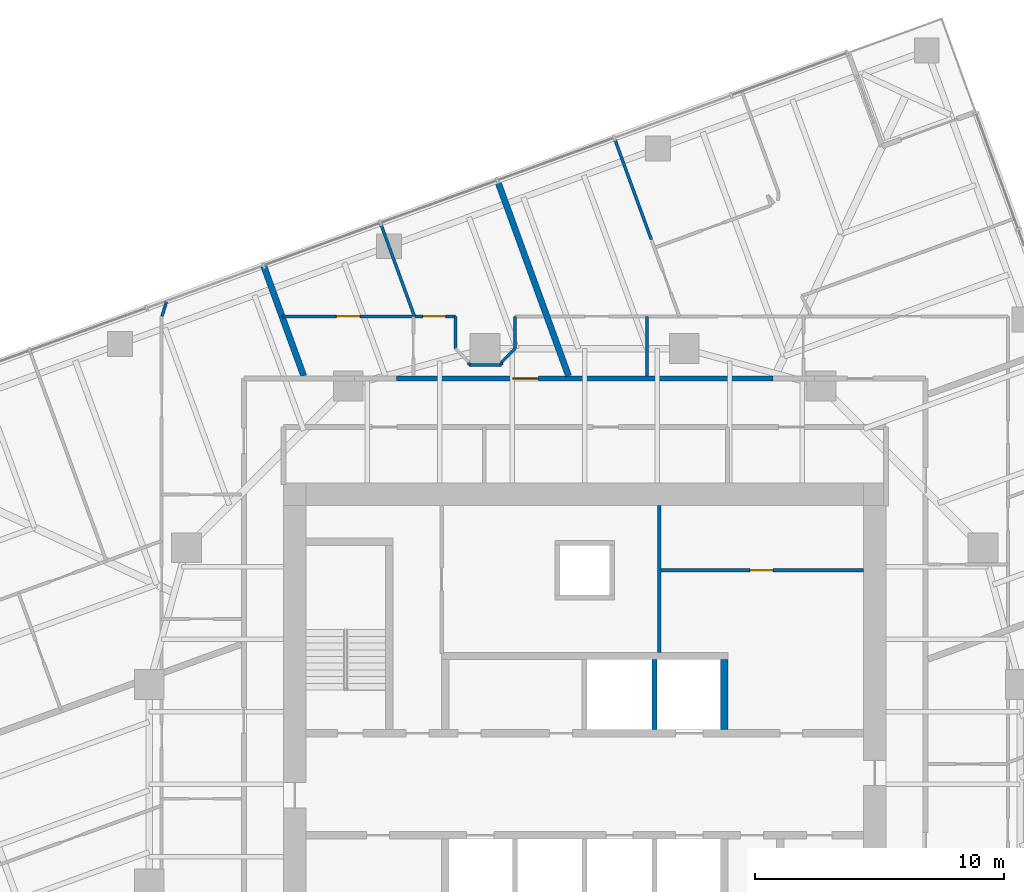
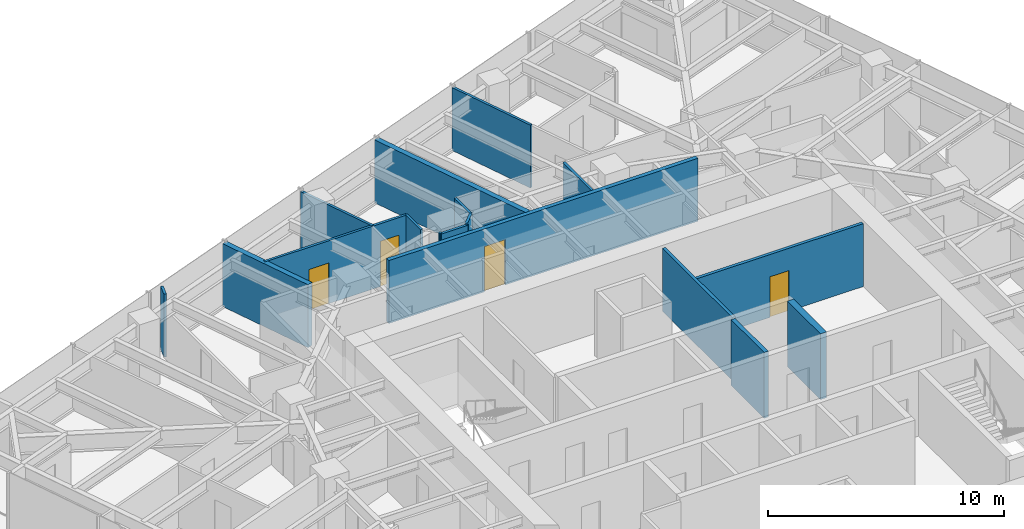
# One storey, part 11 of 13: 18 walls, 4 doors, 4 openings.
"""IFC4 building model written with IfcOpenShell, lengths in metres."""

from ifc_helpers import new_model, si_unit, direction, frame, frame_2d, origin, place, context, subcontext, project, spatial, rectangle, extrude, material, layer, layer_set, type_object, element, fill, save


model = new_model("IFC4")

# Units and contexts
model_context = context("Model", 3, precision=1e-05, world=origin(), true_north=direction((0.0, 1.0)))
body_context = subcontext(model_context, "Body", "Model", "MODEL_VIEW")
ifc_project = project(units=[si_unit("LENGTHUNIT", "METRE"), si_unit("AREAUNIT", "SQUARE_METRE"), si_unit("VOLUMEUNIT", "CUBIC_METRE"), si_unit("PLANEANGLEUNIT", "RADIAN"), si_unit("MASSUNIT", "GRAM", prefix="KILO")], contexts=[model_context])

# Site, building, storey
site_placement = place(None, origin())
site = spatial("IfcSite", under=ifc_project, at=site_placement, CompositionType="ELEMENT")
building_placement = place(site_placement, origin())
building = spatial("IfcBuilding", under=site, at=building_placement, Name="Torsade Residences", CompositionType="ELEMENT")
storey_placement = place(building_placement, frame((0.0, 0.0, 147.199951171875)))
storey = spatial("IfcBuildingStorey", under=building, at=storey_placement, Name="L40", CompositionType="ELEMENT", Elevation=147.199951171875)

# Wall
ifc_material_1 = material(Name="Concrete 80 MPa", Category="concrete")
ifc_layer_1 = layer(ifc_material_1, 0.300048828125)
ifc_layer_set_1 = layer_set([ifc_layer_1], Name="Concrete 80 MPa")
wall_type_1 = type_object("IfcWallType", Name="CORE INTERNAL WALL 300", PredefinedType="SHEAR", material=ifc_layer_set_1)
wall_1_placement = place(storey_placement, frame((45.60009765625, 32.199951171875, 0.0), z_axis=(0.0, 0.0, 1.0), x_axis=(0.0, 1.0, 0.0)))
element("IfcWall", 1, at=wall_1_placement, inside=storey, type_object=wall_type_1, Name="Core wall DN4 L40", PredefinedType="SHEAR", context=body_context, shape_type="SweptSolid", body=[
    extrude(rectangle(XDim=2.800048828125, YDim=0.300048828125, at=frame_2d((1.39990234375, 0.0))), origin(), (0.0, 0.0, 1.0), 3.400146484375),
])

# Wall, opening, door
ifc_material_2 = material(Name="Plasterboard on steel stud", Category="steel")
ifc_layer_2 = layer(ifc_material_2, 0.199951171875)
ifc_layer_set_2 = layer_set([ifc_layer_2], Name="Plasterboard on steel stud")
wall_type_2 = type_object("IfcWallType", Name="CORRIDOR WALL 200", PredefinedType="PARTITIONING", material=ifc_layer_set_2)
wall_2_placement = place(storey_placement, frame((47.558349609375, 46.300048828125, 0.0), z_axis=(0.0, 0.0, 1.0), x_axis=(-1.0, 0.0, 0.0)))
wall_2 = element("IfcWall", 2, at=wall_2_placement, inside=storey, type_object=wall_type_2, Name="Corridor wall L40", PredefinedType="PARTITIONING", context=body_context, shape_type="SweptSolid", body=[
    extrude(rectangle(XDim=15.11669921875, YDim=0.199951171875, at=frame_2d((7.558349609375, 0.0))), origin(), (0.0, 0.0, 1.0), 3.25),
])
opening_1_placement = place(wall_2_placement, frame((9.42236328125, 0.0, 0.0)))
opening_1 = element("IfcOpeningElement", 3, at=opening_1_placement, cuts=wall_2, Name="Opening D01", PredefinedType="OPENING", context=body_context, shape_type="SweptSolid", body=[
    extrude(rectangle(XDim=1.02001953125, YDim=2.340087890625, at=frame_2d((0.510009765625, 1.169921875))), frame((0.0, 0.10986328125, 0.0), z_axis=(0.0, -1.0, 0.0), x_axis=(1.0, 0.0, 0.0)), (0.0, 0.0, 1.0), 0.219970703125),
])
ifc_material_3 = material(Name="Solid-core timber fire door", Category="wood")
door_type_1 = type_object("IfcDoorType", Name="APARTMENT ENTRY DOOR 1020x2340", OperationType="NOTDEFINED", PredefinedType="DOOR", material=ifc_material_3)
door_1_placement = place(opening_1_placement, origin())
door_1 = element("IfcDoor", 4, at=door_1_placement, inside=storey, type_object=door_type_1, Name="Door Residential corridor to Kitchen and dining", OperationType="SINGLE_SWING_RIGHT", OverallHeight=2.340087890625, OverallWidth=1.02001953125, PredefinedType="DOOR", context=body_context, shape_type="SweptSolid", body=[
    extrude(rectangle(XDim=1.02001953125, YDim=2.340087890625, at=frame_2d((0.510009765625, 1.169921875))), frame((0.0, 0.02490234375, 0.0), z_axis=(0.0, -1.0, 0.0), x_axis=(1.0, 0.0, 0.0)), (0.0, 0.0, 1.0), 0.050048828125),
])
fill(opening_1, door_1)

# Walls
ifc_material_4 = material(Name="Reinforced blockwork", Category="masonry")
ifc_layer_3 = layer(ifc_material_4, 0.199951171875)
ifc_layer_set_3 = layer_set([ifc_layer_3], Name="Reinforced blockwork")
wall_type_3 = type_object("IfcWallType", Name="LIFT SHAFT DIVIDING WALL 200", PredefinedType="SOLIDWALL", material=ifc_layer_set_3)
wall_3_placement = place(storey_placement, frame((42.800048828125, 32.199951171875, 0.0), z_axis=(0.0, 0.0, 1.0), x_axis=(0.0, 1.0, 0.0)))
element("IfcWall", 5, at=wall_3_placement, inside=storey, type_object=wall_type_3, Name="Core wall DN3 L40", PredefinedType="SOLIDWALL", context=body_context, shape_type="SweptSolid", body=[
    extrude(rectangle(XDim=2.800048828125, YDim=0.199951171875, at=frame_2d((1.39990234375, 0.0))), origin(), (0.0, 0.0, 1.0), 3.400146484375),
])
ifc_material_5 = material(Name="Plasterboard on steel stud", Category="steel")
ifc_layer_4 = layer(ifc_material_5, 0.1201171875)
ifc_layer_set_4 = layer_set([ifc_layer_4], Name="Plasterboard on steel stud")
wall_type_4 = type_object("IfcWallType", Name="PARTITION 120", PredefinedType="PARTITIONING", material=ifc_layer_set_4)
wall_4_placement = place(storey_placement, frame((42.501220703125, 46.39990234375, 0.0), z_axis=(0.0, 0.0, 1.0), x_axis=(0.0, 1.0, 0.0)))
element("IfcWall", 6, at=wall_4_placement, inside=storey, type_object=wall_type_4, Name="Partition L40", PredefinedType="PARTITIONING", context=body_context, shape_type="SweptSolid", body=[
    extrude(rectangle(XDim=2.400146484375, YDim=0.1201171875, at=frame_2d((1.2001953125, 0.0))), origin(), (0.0, 0.0, 1.0), 3.25),
])
wall_5_placement = place(storey_placement, frame((41.2021484375, 55.935302734375, 0.0), z_axis=(0.0, 0.0, 1.0), x_axis=(0.341992887332, -0.939702540709, 0.0)))
element("IfcWall", 7, at=wall_5_placement, inside=storey, type_object=wall_type_4, Name="Partition L40", PredefinedType="PARTITIONING", context=body_context, shape_type="SweptSolid", body=[
    extrude(rectangle(XDim=4.3154296875, YDim=0.1201171875, at=frame_2d((2.15771484375, 0.0))), origin(), (0.0, 0.0, 1.0), 3.25),
])

# Wall, openings, doors
wall_6_placement = place(storey_placement, frame((27.83642578125, 48.800048828125, 0.0), z_axis=(0.0, 0.0, 1.0), x_axis=(1.0, 0.0, 0.0)))
wall_6 = element("IfcWall", 8, at=wall_6_placement, inside=storey, type_object=wall_type_4, Name="Partition L40", PredefinedType="PARTITIONING", context=body_context, shape_type="SweptSolid", body=[
    extrude(rectangle(XDim=6.963623046875, YDim=0.1201171875, at=frame_2d((3.48193359375, 0.0))), origin(), (0.0, 0.0, 1.0), 3.25),
])
opening_2_placement = place(wall_6_placement, frame((5.6591796875, 0.0, 0.0)))
opening_2 = element("IfcOpeningElement", 9, at=opening_2_placement, cuts=wall_6, Name="Opening D02", PredefinedType="OPENING", context=body_context, shape_type="SweptSolid", body=[
    extrude(rectangle(XDim=0.919921875, YDim=2.340087890625, at=frame_2d((0.4599609375, 1.169921875))), frame((0.0, 0.070068359375, 0.0), z_axis=(0.0, -1.0, 0.0), x_axis=(1.0, 0.0, 0.0)), (0.0, 0.0, 1.0), 0.14013671875),
])
opening_3_placement = place(wall_6_placement, frame((2.180419921875, 0.0, 0.0)))
opening_3 = element("IfcOpeningElement", 10, at=opening_3_placement, cuts=wall_6, Name="Opening D05", PredefinedType="OPENING", context=body_context, shape_type="SweptSolid", body=[
    extrude(rectangle(XDim=0.9599609375, YDim=2.10009765625, at=frame_2d((0.47998046875, 1.050048828125))), frame((0.0, 0.070068359375, 0.0), z_axis=(0.0, -1.0, 0.0), x_axis=(1.0, 0.0, 0.0)), (0.0, 0.0, 1.0), 0.14013671875),
])
ifc_material_6 = material(Name="Hollow-core timber door in a steel cavity frame", Category="steel")
door_type_2 = type_object("IfcDoorType", Name="BATHROOM CAVITY SLIDING DOOR 960", OperationType="SLIDING_TO_LEFT", PredefinedType="DOOR", material=ifc_material_6)
door_2_placement = place(opening_3_placement, origin())
door_2 = element("IfcDoor", 11, at=door_2_placement, inside=storey, type_object=door_type_2, Name="Door Bathroom to Bedroom 1", OperationType="SLIDING_TO_LEFT", OverallHeight=2.10009765625, OverallWidth=0.9599609375, PredefinedType="DOOR", context=body_context, shape_type="SweptSolid", body=[
    extrude(rectangle(XDim=0.9599609375, YDim=2.10009765625, at=frame_2d((0.47998046875, 1.050048828125))), frame((0.0, 0.02490234375, 0.0), z_axis=(0.0, -1.0, 0.0), x_axis=(1.0, 0.0, 0.0)), (0.0, 0.0, 1.0), 0.050048828125),
])
fill(opening_3, door_2)
ifc_material_7 = material(Name="Hollow-core timber door", Category="wood")
door_type_3 = type_object("IfcDoorType", Name="INTERNAL DOOR 920x2340", OperationType="NOTDEFINED", PredefinedType="DOOR", material=ifc_material_7)
door_3_placement = place(opening_2_placement, origin())
door_3 = element("IfcDoor", 12, at=door_3_placement, inside=storey, type_object=door_type_3, Name="Door Kitchen and dining to Living room", OperationType="SINGLE_SWING_LEFT", OverallHeight=2.340087890625, OverallWidth=0.919921875, PredefinedType="DOOR", context=body_context, shape_type="SweptSolid", body=[
    extrude(rectangle(XDim=0.919921875, YDim=2.340087890625, at=frame_2d((0.4599609375, 1.169921875))), frame((0.0, 0.02490234375, 0.0), z_axis=(0.0, -1.0, 0.0), x_axis=(1.0, 0.0, 0.0)), (0.0, 0.0, 1.0), 0.050048828125),
])
fill(opening_2, door_3)

# Walls
wall_7_placement = place(storey_placement, frame((34.800048828125, 48.800048828125, 0.0), z_axis=(0.0, 0.0, 1.0), x_axis=(0.0, -1.0, 0.0)))
element("IfcWall", 13, at=wall_7_placement, inside=storey, type_object=wall_type_4, Name="Partition L40", PredefinedType="PARTITIONING", context=body_context, shape_type="SweptSolid", body=[
    extrude(rectangle(XDim=1.300048828125, YDim=0.1201171875, at=frame_2d((0.64990234375, 0.0))), origin(), (0.0, 0.0, 1.0), 3.25),
])
wall_8_placement = place(storey_placement, frame((35.35009765625, 46.85009765625, 0.0), z_axis=(0.0, 0.0, 1.0), x_axis=(1.0, 0.0, 0.0)))
element("IfcWall", 14, at=wall_8_placement, inside=storey, type_object=wall_type_4, Name="Partition L40", PredefinedType="PARTITIONING", context=body_context, shape_type="SweptSolid", body=[
    extrude(rectangle(XDim=1.2998046875, YDim=0.1201171875, at=frame_2d((0.64990234375, 0.0))), origin(), (0.0, 0.0, 1.0), 3.25),
])
wall_9_placement = place(storey_placement, frame((36.64990234375, 46.949951171875, 0.0), z_axis=(0.0, 0.0, 1.0), x_axis=(0.707106781187, 0.707106781187, 0.0)))
element("IfcWall", 15, at=wall_9_placement, inside=storey, type_object=wall_type_4, Name="Partition L40", PredefinedType="PARTITIONING", context=body_context, shape_type="SweptSolid", body=[
    extrude(rectangle(XDim=0.77783203125, YDim=0.1201171875, at=frame_2d((0.388916015625, 0.0))), origin(), (0.0, 0.0, 1.0), 3.25),
])
wall_10_placement = place(storey_placement, frame((37.199951171875, 47.5, 0.0), z_axis=(0.0, 0.0, 1.0), x_axis=(0.0, 1.0, 0.0)))
element("IfcWall", 16, at=wall_10_placement, inside=storey, type_object=wall_type_4, Name="Partition L40", PredefinedType="PARTITIONING", context=body_context, shape_type="SweptSolid", body=[
    extrude(rectangle(XDim=1.300048828125, YDim=0.1201171875, at=frame_2d((0.64990234375, 0.0))), origin(), (0.0, 0.0, 1.0), 3.25),
])
wall_11_placement = place(storey_placement, frame((33.1572265625, 48.800048828125, 0.0), z_axis=(0.0, 0.0, 1.0), x_axis=(-0.341990966768, 0.939703239672, 0.0)))
element("IfcWall", 17, at=wall_11_placement, inside=storey, type_object=wall_type_4, Name="Partition L40", PredefinedType="PARTITIONING", context=body_context, shape_type="SweptSolid", body=[
    extrude(rectangle(XDim=3.953369140625, YDim=0.1201171875, at=frame_2d((1.9765625, 0.0))), origin(), (0.0, 0.0, 1.0), 3.25),
])
wall_12_placement = place(storey_placement, frame((23.013427734375, 48.800048828125, 0.0), z_axis=(0.0, 0.0, 1.0), x_axis=(0.290455219909, 0.956888585588, 0.0)))
element("IfcWall", 18, at=wall_12_placement, inside=storey, type_object=wall_type_4, Name="Partition L40", PredefinedType="PARTITIONING", context=body_context, shape_type="SweptSolid", body=[
    extrude(rectangle(XDim=0.605224609375, YDim=0.1201171875, at=frame_2d((0.302734375, 0.0))), origin(), (0.0, 0.0, 1.0), 3.25),
])
for number, where, z_axis, x_axis, name in (
    (19, (35.35009765625, 46.85009765625, 0.0), (0.0, 0.0, 1.0), (0.0, 1.0, 0.0), "Partition L40"),
    (20, (36.64990234375, 46.85009765625, 0.0), (0.0, 0.0, 1.0), (0.0, 1.0, 0.0), "Partition L40"),
):
    element("IfcWall", number, at=place(storey_placement, frame(where, z_axis=z_axis, x_axis=x_axis)), inside=storey, type_object=wall_type_4, Name=name, PredefinedType="PARTITIONING", context=body_context, shape_type="SweptSolid", body=[
        extrude(rectangle(XDim=0.099853515625, YDim=0.1201171875, at=frame_2d((0.0498046875, 0.0))), origin(), (0.0, 0.0, 1.0), 3.25),
    ])
ifc_material_8 = material(Name="Masonry-lined stud party wall", Category="masonry")
ifc_layer_5 = layer(ifc_material_8, 0.25)
ifc_layer_set_5 = layer_set([ifc_layer_5], Name="Masonry-lined stud party wall")
wall_type_5 = type_object("IfcWallType", Name="PARTY WALL 250", PredefinedType="PARTITIONING", material=ifc_layer_set_5)
wall_13_placement = place(storey_placement, frame((36.489990234375, 54.2626953125, 0.0), z_axis=(0.0, 0.0, 1.0), x_axis=(0.342019678743, -0.93969278988, 0.0)))
element("IfcWall", 21, at=wall_13_placement, inside=storey, type_object=wall_type_5, Name="Party wall L40", PredefinedType="PARTITIONING", context=body_context, shape_type="SweptSolid", body=[
    extrude(rectangle(XDim=8.361572265625, YDim=0.25, at=frame_2d((4.1806640625, 0.0))), origin(), (0.0, 0.0, 1.0), 3.25),
])
wall_14_placement = place(storey_placement, frame((27.093017578125, 50.842529296875, 0.0), z_axis=(0.0, 0.0, 1.0), x_axis=(0.342012883883, -0.939695262975, 0.0)))
element("IfcWall", 22, at=wall_14_placement, inside=storey, type_object=wall_type_5, Name="Party wall L40", PredefinedType="PARTITIONING", context=body_context, shape_type="SweptSolid", body=[
    extrude(rectangle(XDim=4.721923828125, YDim=0.25, at=frame_2d((2.36083984375, 0.0))), origin(), (0.0, 0.0, 1.0), 3.25),
])
ifc_material_9 = material(Name="Reinforced blockwork", Category="masonry")
ifc_layer_6 = layer(ifc_material_9, 0.14990234375)
ifc_layer_set_6 = layer_set([ifc_layer_6], Name="Reinforced blockwork")
wall_type_6 = type_object("IfcWallType", Name="SERVICE ROOM WALL 150", PredefinedType="SOLIDWALL", material=ifc_layer_set_6)
wall_15_placement = place(storey_placement, frame((43.0, 41.199951171875, 0.0), z_axis=(0.0, 0.0, 1.0), x_axis=(0.0, -1.0, 0.0)))
element("IfcWall", 23, at=wall_15_placement, inside=storey, type_object=wall_type_6, Name="Service room wall L40", PredefinedType="SOLIDWALL", context=body_context, shape_type="SweptSolid", body=[
    extrude(rectangle(XDim=5.89990234375, YDim=0.14990234375, at=frame_2d((2.949951171875, 0.0))), origin(), (0.0, 0.0, 1.0), 3.25),
])

# Wall, opening, door
wall_16_placement = place(storey_placement, frame((43.0, 38.60009765625, 0.0), z_axis=(0.0, 0.0, 1.0), x_axis=(1.0, 0.0, 0.0)))
wall_16 = element("IfcWall", 24, at=wall_16_placement, inside=storey, type_object=wall_type_6, Name="Service room wall L40", PredefinedType="SOLIDWALL", context=body_context, shape_type="SweptSolid", body=[
    extrude(rectangle(XDim=8.199951171875, YDim=0.14990234375, at=frame_2d((4.10009765625, 0.0))), origin(), (0.0, 0.0, 1.0), 3.25),
])
opening_4_placement = place(wall_16_placement, frame((3.639892578125, 0.0, 0.0)))
opening_4 = element("IfcOpeningElement", 25, at=opening_4_placement, cuts=wall_16, Name="Opening D06", PredefinedType="OPENING", context=body_context, shape_type="SweptSolid", body=[
    extrude(rectangle(XDim=0.919921875, YDim=2.10009765625, at=frame_2d((0.4599609375, 1.050048828125))), frame((0.0, 0.0849609375, 0.0), z_axis=(0.0, -1.0, 0.0), x_axis=(1.0, 0.0, 0.0)), (0.0, 0.0, 1.0), 0.169921875),
])
ifc_material_10 = material(Name="Steel-framed fire door", Category="steel")
door_type_4 = type_object("IfcDoorType", Name="FIRE DOOR 920", OperationType="NOTDEFINED", PredefinedType="DOOR", material=ifc_material_10)
door_4_placement = place(opening_4_placement, origin())
door_4 = element("IfcDoor", 26, at=door_4_placement, inside=storey, type_object=door_type_4, Name="Door Refuse room to Bulky waste store", OperationType="SINGLE_SWING_RIGHT", OverallHeight=2.10009765625, OverallWidth=0.919921875, PredefinedType="DOOR", context=body_context, shape_type="SweptSolid", body=[
    extrude(rectangle(XDim=0.919921875, YDim=2.10009765625, at=frame_2d((0.4599609375, 1.050048828125))), frame((0.0, 0.02490234375, 0.0), z_axis=(0.0, -1.0, 0.0), x_axis=(1.0, 0.0, 0.0)), (0.0, 0.0, 1.0), 0.050048828125),
])
fill(opening_4, door_4)

save(model, "model.ifc")
